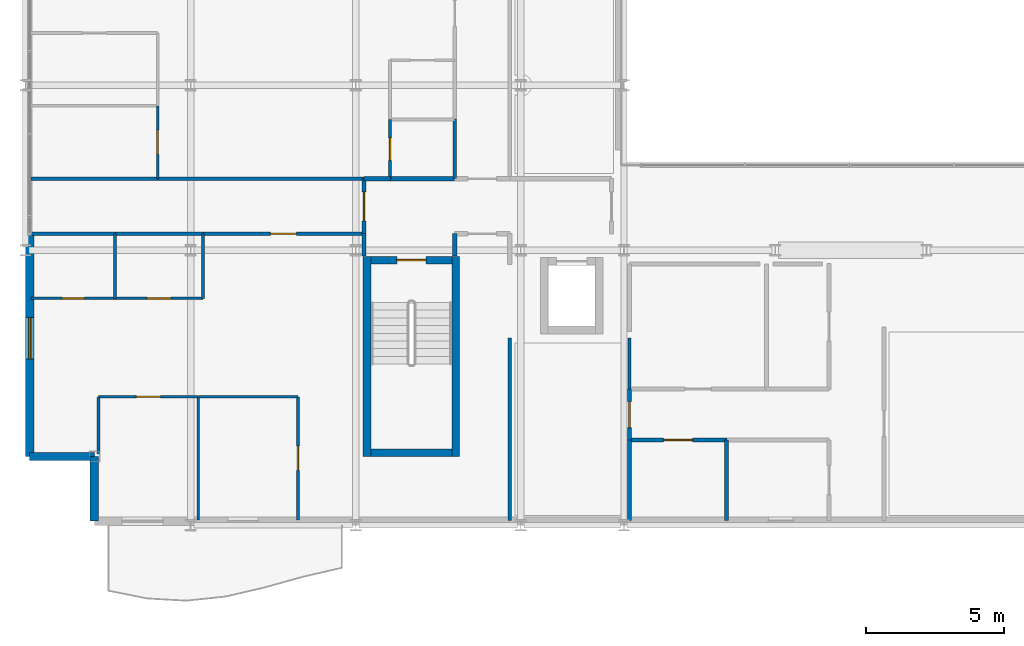
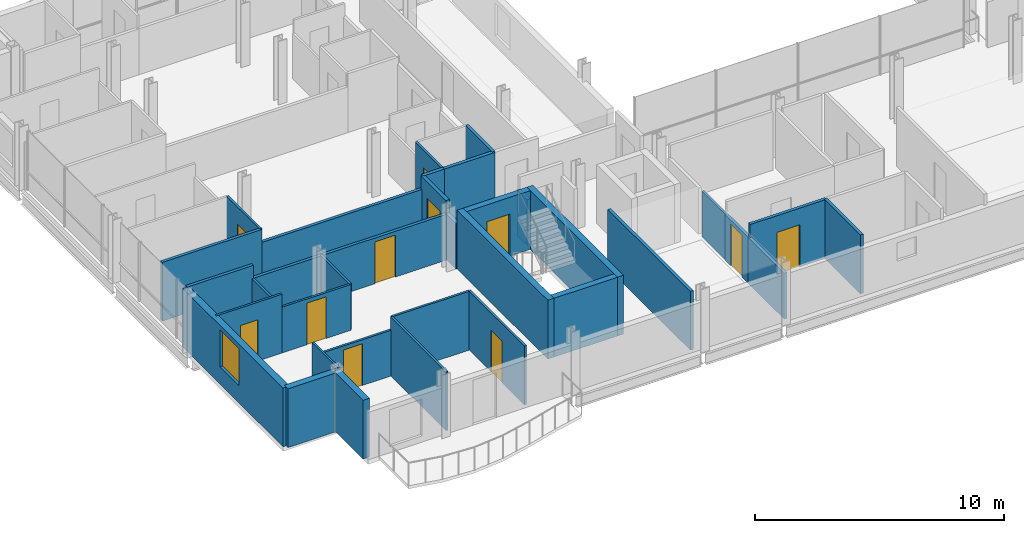
# One storey, part 33 of 41: 35 walls, 11 doors, 1 window, 12 openings.
"""IFC4 building model written with IfcOpenShell, lengths in metres."""

from ifc_helpers import new_model, si_unit, direction, frame, frame_2d, origin, place, context, subcontext, project, spatial, rectangle, extrude, material, layer, layer_set, type_object, element, fill, save


model = new_model("IFC4")

# Units and contexts
model_context = context("Model", 3, precision=1e-05, world=origin(), true_north=direction((0.0, 1.0)))
body_context = subcontext(model_context, "Body", "Model", "MODEL_VIEW")
ifc_project = project(units=[si_unit("LENGTHUNIT", "METRE"), si_unit("AREAUNIT", "SQUARE_METRE"), si_unit("VOLUMEUNIT", "CUBIC_METRE"), si_unit("PLANEANGLEUNIT", "RADIAN"), si_unit("MASSUNIT", "GRAM", prefix="KILO")], contexts=[model_context])

# Site, building, storey
site_placement = place(None, origin())
site = spatial("IfcSite", under=ifc_project, at=site_placement, CompositionType="ELEMENT")
building_placement = place(site_placement, origin())
building = spatial("IfcBuilding", under=site, at=building_placement, Name="Brevholm Reach", CompositionType="ELEMENT")
storey_placement = place(building_placement, frame((0.0, 0.0, 144.89990234375)))
storey = spatial("IfcBuildingStorey", under=building, at=storey_placement, Name="L43", CompositionType="ELEMENT", Elevation=144.89990234375)

# Walls
ifc_material_1 = material(Name="Concrete C50/60", Category="concrete")
ifc_layer_1 = layer(ifc_material_1, 0.280029296875)
ifc_layer_set_1 = layer_set([ifc_layer_1], Name="Concrete C50/60")
wall_type_1 = type_object("IfcWallType", Name="WAL-COR-280", PredefinedType="SHEAR", material=ifc_layer_set_1)
for number, where, z_axis, x_axis, name in (
    (1, (12.409912109375, 2.5, 0.0), (0.0, 0.0, 1.0), (0.0, 1.0, 0.0), "L43 Escape Stair ST-1 Core Wall W"),
    (2, (15.639892578125, 2.5, 0.0), (0.0, 0.0, 1.0), (0.0, 1.0, 0.0), "L43 Escape Stair ST-1 Core Wall E"),
):
    element("IfcWall", number, at=place(storey_placement, frame(where, z_axis=z_axis, x_axis=x_axis)), inside=storey, type_object=wall_type_1, Name=name, PredefinedType="SHEAR", context=body_context, shape_type="SweptSolid", body=[
        extrude(rectangle(XDim=7.280029296875, YDim=0.280029296875, at=frame_2d((3.64013671875, 0.0))), origin(), (0.0, 0.0, 1.0), 2.880126953125),
    ])
wall_1_placement = place(storey_placement, frame((12.550048828125, 2.639892578125, 0.0), z_axis=(0.0, 0.0, 1.0), x_axis=(1.0, 0.0, 0.0)))
element("IfcWall", 3, at=wall_1_placement, inside=storey, type_object=wall_type_1, Name="L43 Escape Stair ST-1 Core Wall S", PredefinedType="SHEAR", context=body_context, shape_type="SweptSolid", body=[
    extrude(rectangle(XDim=2.949951171875, YDim=0.280029296875, at=frame_2d((1.47509765625, 0.0))), origin(), (0.0, 0.0, 1.0), 2.880126953125),
])

# Wall, opening, door
wall_2_placement = place(storey_placement, frame((15.5, 9.639892578125, 0.0), z_axis=(0.0, 0.0, 1.0), x_axis=(-1.0, 0.0, 0.0)))
wall_2 = element("IfcWall", 4, at=wall_2_placement, inside=storey, type_object=wall_type_1, Name="L43 Escape Stair ST-1 Core Wall N", PredefinedType="SHEAR", context=body_context, shape_type="SweptSolid", body=[
    extrude(rectangle(XDim=2.949951171875, YDim=0.280029296875, at=frame_2d((1.47509765625, 0.0))), origin(), (0.0, 0.0, 1.0), 2.880126953125),
])
opening_1_placement = place(wall_2_placement, frame((0.949951171875, 0.0, 0.0)))
opening_1 = element("IfcOpeningElement", 5, at=opening_1_placement, cuts=wall_2, Name="Opening SD-ST-1", PredefinedType="OPENING", context=body_context, shape_type="SweptSolid", body=[
    extrude(rectangle(XDim=1.050048828125, YDim=2.06005859375, at=frame_2d((0.52490234375, 1.030029296875))), frame((0.0, 0.14990234375, 0.0), z_axis=(0.0, -1.0, 0.0), x_axis=(1.0, 0.0, 0.0)), (0.0, 0.0, 1.0), 0.300048828125),
])
ifc_material_2 = material(Name="Hardwood-Lipped Steel-Core Fire and Smoke Door", Category="steel")
door_type_1 = type_object("IfcDoorType", Name="DOR-INT-FD60S", OperationType="NOTDEFINED", PredefinedType="DOOR", material=ifc_material_2)
door_1_placement = place(opening_1_placement, origin())
door_1 = element("IfcDoor", 6, at=door_1_placement, inside=storey, type_object=door_type_1, Name="L43 Protected Stair ST-1 Lobby Door", OperationType="SINGLE_SWING_LEFT", OverallHeight=2.06005859375, OverallWidth=1.050048828125, PredefinedType="DOOR", context=body_context, shape_type="SweptSolid", body=[
    extrude(rectangle(XDim=1.050048828125, YDim=2.06005859375, at=frame_2d((0.52490234375, 1.030029296875))), frame((0.0, 0.02490234375, 0.0), z_axis=(0.0, -1.0, 0.0), x_axis=(1.0, 0.0, 0.0)), (0.0, 0.0, 1.0), 0.050048828125),
])
fill(opening_1, door_1)

# Walls
ifc_material_3 = material(Name="Concrete C40/50", Category="concrete")
ifc_layer_2 = layer(ifc_material_3, 0.300048828125)
ifc_layer_set_2 = layer_set([ifc_layer_2], Name="Concrete C40/50")
wall_type_2 = type_object("IfcWallType", Name="WAL-EXT-300", PredefinedType="STANDARD", material=ifc_layer_set_2)
for number, where, z_axis, x_axis, name in (
    (7, (2.5, 2.5, 0.0), (0.0, 0.0, 1.0), (0.0, -1.0, 0.0), "L43 Facade Wall WAL-L43-CSW1"),
    (8, (0.14990234375, 2.5, 0.0), (0.0, 0.0, 1.0), (1.0, 0.0, 0.0), "L43 Facade Wall WAL-L43-CSW2"),
):
    element("IfcWall", number, at=place(storey_placement, frame(where, z_axis=z_axis, x_axis=x_axis)), inside=storey, type_object=wall_type_2, Name=name, PredefinedType="STANDARD", context=body_context, shape_type="SweptSolid", body=[
        extrude(rectangle(XDim=2.35009765625, YDim=0.300048828125, at=frame_2d((1.175048828125, 0.0))), origin(), (0.0, 0.0, 1.0), 2.880126953125),
    ])

# Wall, opening, window
wall_3_placement = place(storey_placement, frame((0.14990234375, 10.550048828125, 0.0), z_axis=(0.0, 0.0, 1.0), x_axis=(0.0, -1.0, 0.0)))
wall_3 = element("IfcWall", 9, at=wall_3_placement, inside=storey, type_object=wall_type_2, Name="L43 Facade Wall WAL-L43-W-S", PredefinedType="STANDARD", context=body_context, shape_type="SweptSolid", body=[
    extrude(rectangle(XDim=8.050048828125, YDim=0.300048828125, at=frame_2d((4.02490234375, 0.0))), origin(), (0.0, 0.0, 1.0), 2.880126953125),
])
opening_2_placement = place(wall_3_placement, frame((3.0, 0.0, 0.860107421875)))
opening_2 = element("IfcOpeningElement", 10, at=opening_2_placement, cuts=wall_3, Name="Opening WN-05", PredefinedType="OPENING", context=body_context, shape_type="SweptSolid", body=[
    extrude(rectangle(XDim=1.5, YDim=1.800048828125, at=frame_2d((0.75, 0.89990234375))), frame((0.0, 0.159912109375, 0.0), z_axis=(0.0, -1.0, 0.0), x_axis=(1.0, 0.0, 0.0)), (0.0, 0.0, 1.0), 0.320068359375),
])
ifc_material_4 = material(Name="Dark Anodised Aluminium and Solar-Control IGU Glass", Category="aluminium")
window_type = type_object("IfcWindowType", Name="WIN-RES-1500", PartitioningType="SINGLE_PANEL", PredefinedType="WINDOW", material=ifc_material_4)
window_placement = place(opening_2_placement, origin())
window = element("IfcWindow", 11, at=window_placement, inside=storey, type_object=window_type, Name="L43 Window WIN-L43-WS-1", OverallHeight=1.800048828125, OverallWidth=1.5, PartitioningType="SINGLE_PANEL", PredefinedType="WINDOW", context=body_context, shape_type="SweptSolid", body=[
    extrude(rectangle(XDim=1.5, YDim=1.800048828125, at=frame_2d((0.75, 0.89990234375))), frame((0.0, 0.030029296875, 0.0), z_axis=(0.0, -1.0, 0.0), x_axis=(1.0, 0.0, 0.0)), (0.0, 0.0, 1.0), 0.06005859375),
])
fill(opening_2, window)

# Walls
ifc_material_5 = material(Name="Moisture-Resistant Acoustic Gypsum Stud Partition 100 mm", Category="gypsum")
ifc_layer_3 = layer(ifc_material_5, 0.10009765625)
ifc_layer_set_3 = layer_set([ifc_layer_3], Name="Moisture-Resistant Acoustic Gypsum Stud Partition 100 mm")
wall_type_3 = type_object("IfcWallType", Name="WAL-PRT-100", PredefinedType="PARTITIONING", material=ifc_layer_set_3)
wall_4_placement = place(storey_placement, frame((21.949951171875, 4.9541015625, 0.0), z_axis=(0.0, 0.0, 1.0), x_axis=(0.0, 1.0, 0.0)))
element("IfcWall", 12, at=wall_4_placement, inside=storey, type_object=wall_type_3, Name="L43 Internal Partition 012", PredefinedType="PARTITIONING", context=body_context, shape_type="SweptSolid", body=[
    extrude(rectangle(XDim=1.857177734375, YDim=0.10009765625, at=frame_2d((0.9287109375, 0.0))), origin(), (0.0, 0.0, 1.0), 2.242919921875),
])
wall_5_placement = place(storey_placement, frame((3.25, 8.25, 0.0), z_axis=(0.0, 0.0, 1.0), x_axis=(0.0, 1.0, 0.0)))
element("IfcWall", 13, at=wall_5_placement, inside=storey, type_object=wall_type_3, Name="L43 Internal Partition 068", PredefinedType="PARTITIONING", context=body_context, shape_type="SweptSolid", body=[
    extrude(rectangle(XDim=2.345947265625, YDim=0.10009765625, at=frame_2d((1.1728515625, 0.0))), origin(), (0.0, 0.0, 1.0), 2.242919921875),
])

# Wall, opening, door
wall_6_placement = place(storey_placement, frame((0.199951171875, 8.25, 0.0), z_axis=(0.0, 0.0, 1.0), x_axis=(1.0, 0.0, 0.0)))
wall_6 = element("IfcWall", 14, at=wall_6_placement, inside=storey, type_object=wall_type_3, Name="L43 Internal Partition 069", PredefinedType="PARTITIONING", context=body_context, shape_type="SweptSolid", body=[
    extrude(rectangle(XDim=3.050048828125, YDim=0.10009765625, at=frame_2d((1.52490234375, 0.0))), origin(), (0.0, 0.0, 1.0), 2.880126953125),
])
opening_3_placement = place(wall_6_placement, frame((1.114990234375, 0.0, 0.0)))
opening_3 = element("IfcOpeningElement", 15, at=opening_3_placement, cuts=wall_6, Name="Opening ID-03", PredefinedType="OPENING", context=body_context, shape_type="SweptSolid", body=[
    extrude(rectangle(XDim=0.820068359375, YDim=2.02001953125, at=frame_2d((0.41015625, 1.010009765625))), frame((0.0, 0.06005859375, 0.0), z_axis=(0.0, -1.0, 0.0), x_axis=(1.0, 0.0, 0.0)), (0.0, 0.0, 1.0), 0.1201171875),
])
ifc_material_6 = material(Name="Moisture-Resistant Painted Timber Internal Bathroom Door", Category="wood")
door_type_2 = type_object("IfcDoorType", Name="DOR-BATH-820", OperationType="NOTDEFINED", PredefinedType="DOOR", material=ifc_material_6)
door_2_placement = place(opening_3_placement, origin())
door_2 = element("IfcDoor", 16, at=door_2_placement, inside=storey, type_object=door_type_2, Name="L43 Internal Door 030", OperationType="SINGLE_SWING_LEFT", OverallHeight=2.02001953125, OverallWidth=0.820068359375, PredefinedType="DOOR", context=body_context, shape_type="SweptSolid", body=[
    extrude(rectangle(XDim=0.820068359375, YDim=2.02001953125, at=frame_2d((0.41015625, 1.010009765625))), frame((0.0, 0.02490234375, 0.0), z_axis=(0.0, -1.0, 0.0), x_axis=(1.0, 0.0, 0.0)), (0.0, 0.0, 1.0), 0.050048828125),
])
fill(opening_3, door_2)

wall_7_placement = place(storey_placement, frame((3.25390625, 8.25, 0.0), z_axis=(0.0, 0.0, 1.0), x_axis=(1.0, 0.0, 0.0)))
wall_7 = element("IfcWall", 17, at=wall_7_placement, inside=storey, type_object=wall_type_3, Name="L43 Internal Partition 070", PredefinedType="PARTITIONING", context=body_context, shape_type="SweptSolid", body=[
    extrude(rectangle(XDim=3.196044921875, YDim=0.10009765625, at=frame_2d((1.59814453125, 0.0))), origin(), (0.0, 0.0, 1.0), 2.242919921875),
])
opening_4_placement = place(wall_7_placement, frame((1.157958984375, 0.0, 0.0)))
opening_4 = element("IfcOpeningElement", 18, at=opening_4_placement, cuts=wall_7, Name="Opening ID-01", PredefinedType="OPENING", context=body_context, shape_type="SweptSolid", body=[
    extrude(rectangle(XDim=0.8798828125, YDim=2.0400390625, at=frame_2d((0.43994140625, 1.02001953125))), frame((0.0, 0.06005859375, 0.0), z_axis=(0.0, -1.0, 0.0), x_axis=(1.0, 0.0, 0.0)), (0.0, 0.0, 1.0), 0.1201171875),
])
ifc_material_7 = material(Name="Lacquered Ash Solid-Core Acoustic Internal Door", Category="timber")
door_type_3 = type_object("IfcDoorType", Name="DOR-INT-880", OperationType="NOTDEFINED", PredefinedType="DOOR", material=ifc_material_7)
door_3_placement = place(opening_4_placement, origin())
door_3 = element("IfcDoor", 19, at=door_3_placement, inside=storey, type_object=door_type_3, Name="L43 Internal Door 031", OperationType="SINGLE_SWING_RIGHT", OverallHeight=2.0400390625, OverallWidth=0.8798828125, PredefinedType="DOOR", context=body_context, shape_type="SweptSolid", body=[
    extrude(rectangle(XDim=0.8798828125, YDim=2.0400390625, at=frame_2d((0.43994140625, 1.02001953125))), frame((0.0, 0.02490234375, 0.0), z_axis=(0.0, -1.0, 0.0), x_axis=(1.0, 0.0, 0.0)), (0.0, 0.0, 1.0), 0.050048828125),
])
fill(opening_4, door_3)

# Walls
wall_8_placement = place(storey_placement, frame((6.449951171875, 8.25, 0.0), z_axis=(0.0, 0.0, 1.0), x_axis=(0.0, 1.0, 0.0)))
element("IfcWall", 20, at=wall_8_placement, inside=storey, type_object=wall_type_3, Name="L43 Internal Partition 071", PredefinedType="PARTITIONING", context=body_context, shape_type="SweptSolid", body=[
    extrude(rectangle(XDim=2.345947265625, YDim=0.10009765625, at=frame_2d((1.1728515625, 0.0))), origin(), (0.0, 0.0, 1.0), 2.242919921875),
])
wall_9_placement = place(storey_placement, frame((6.27490234375, 0.199951171875, 0.0), z_axis=(0.0, 0.0, 1.0), x_axis=(0.0, 1.0, 0.0)))
element("IfcWall", 21, at=wall_9_placement, inside=storey, type_object=wall_type_3, Name="L43 Internal Partition 072", PredefinedType="PARTITIONING", context=body_context, shape_type="SweptSolid", body=[
    extrude(rectangle(XDim=4.47216796875, YDim=0.10009765625, at=frame_2d((2.236083984375, 0.0))), origin(), (0.0, 0.0, 1.0), 2.880126953125),
])
wall_10_placement = place(storey_placement, frame((2.64990234375, 2.599365234375, 0.0), z_axis=(0.0, 0.0, 1.0), x_axis=(0.0, 1.0, 0.0)))
element("IfcWall", 22, at=wall_10_placement, inside=storey, type_object=wall_type_3, Name="L43 Internal Partition 073", PredefinedType="PARTITIONING", context=body_context, shape_type="SweptSolid", body=[
    extrude(rectangle(XDim=2.07275390625, YDim=0.10009765625, at=frame_2d((1.036376953125, 0.0))), origin(), (0.0, 0.0, 1.0), 2.880126953125),
])

# Wall, opening, door
wall_11_placement = place(storey_placement, frame((2.64990234375, 4.672119140625, 0.0), z_axis=(0.0, 0.0, 1.0), x_axis=(1.0, 0.0, 0.0)))
wall_11 = element("IfcWall", 23, at=wall_11_placement, inside=storey, type_object=wall_type_3, Name="L43 Internal Partition 074", PredefinedType="PARTITIONING", context=body_context, shape_type="SweptSolid", body=[
    extrude(rectangle(XDim=3.625, YDim=0.10009765625, at=frame_2d((1.8125, 0.0))), origin(), (0.0, 0.0, 1.0), 2.242919921875),
])
opening_5_placement = place(wall_11_placement, frame((1.37255859375, 0.0, 0.0)))
opening_5 = element("IfcOpeningElement", 24, at=opening_5_placement, cuts=wall_11, Name="Opening ID-01", PredefinedType="OPENING", context=body_context, shape_type="SweptSolid", body=[
    extrude(rectangle(XDim=0.8798828125, YDim=2.0400390625, at=frame_2d((0.43994140625, 1.02001953125))), frame((0.0, 0.06005859375, 0.0), z_axis=(0.0, -1.0, 0.0), x_axis=(1.0, 0.0, 0.0)), (0.0, 0.0, 1.0), 0.1201171875),
])
door_4_placement = place(opening_5_placement, origin())
door_4 = element("IfcDoor", 25, at=door_4_placement, inside=storey, type_object=door_type_3, Name="L43 Internal Door 032", OperationType="SINGLE_SWING_LEFT", OverallHeight=2.0400390625, OverallWidth=0.8798828125, PredefinedType="DOOR", context=body_context, shape_type="SweptSolid", body=[
    extrude(rectangle(XDim=0.8798828125, YDim=2.0400390625, at=frame_2d((0.43994140625, 1.02001953125))), frame((0.0, 0.02490234375, 0.0), z_axis=(0.0, -1.0, 0.0), x_axis=(1.0, 0.0, 0.0)), (0.0, 0.0, 1.0), 0.050048828125),
])
fill(opening_5, door_4)

wall_12_placement = place(storey_placement, frame((9.89990234375, 0.199951171875, 0.0), z_axis=(0.0, 0.0, 1.0), x_axis=(0.0, 1.0, 0.0)))
wall_12 = element("IfcWall", 26, at=wall_12_placement, inside=storey, type_object=wall_type_3, Name="L43 Internal Partition 075", PredefinedType="PARTITIONING", context=body_context, shape_type="SweptSolid", body=[
    extrude(rectangle(XDim=4.47216796875, YDim=0.10009765625, at=frame_2d((2.236083984375, 0.0))), origin(), (0.0, 0.0, 1.0), 2.880126953125),
])
opening_6_placement = place(wall_12_placement, frame((1.7958984375, 0.0, 0.0)))
opening_6 = element("IfcOpeningElement", 27, at=opening_6_placement, cuts=wall_12, Name="Opening ID-01", PredefinedType="OPENING", context=body_context, shape_type="SweptSolid", body=[
    extrude(rectangle(XDim=0.8798828125, YDim=2.0400390625, at=frame_2d((0.43994140625, 1.02001953125))), frame((0.0, 0.06005859375, 0.0), z_axis=(0.0, -1.0, 0.0), x_axis=(1.0, 0.0, 0.0)), (0.0, 0.0, 1.0), 0.1201171875),
])
door_5_placement = place(opening_6_placement, origin())
door_5 = element("IfcDoor", 28, at=door_5_placement, inside=storey, type_object=door_type_3, Name="L43 Internal Door 033", OperationType="SINGLE_SWING_RIGHT", OverallHeight=2.0400390625, OverallWidth=0.8798828125, PredefinedType="DOOR", context=body_context, shape_type="SweptSolid", body=[
    extrude(rectangle(XDim=0.8798828125, YDim=2.0400390625, at=frame_2d((0.43994140625, 1.02001953125))), frame((0.0, 0.02490234375, 0.0), z_axis=(0.0, -1.0, 0.0), x_axis=(1.0, 0.0, 0.0)), (0.0, 0.0, 1.0), 0.050048828125),
])
fill(opening_6, door_5)

# Wall
wall_13_placement = place(storey_placement, frame((6.279052734375, 4.672119140625, 0.0), z_axis=(0.0, 0.0, 1.0), x_axis=(1.0, 0.0, 0.0)))
element("IfcWall", 29, at=wall_13_placement, inside=storey, type_object=wall_type_3, Name="L43 Internal Partition 076", PredefinedType="PARTITIONING", context=body_context, shape_type="SweptSolid", body=[
    extrude(rectangle(XDim=3.620849609375, YDim=0.10009765625, at=frame_2d((1.810546875, 0.0))), origin(), (0.0, 0.0, 1.0), 2.880126953125),
])

# Wall, opening, door
wall_14_placement = place(storey_placement, frame((13.25, 12.60400390625, 0.0), z_axis=(0.0, 0.0, 1.0), x_axis=(0.0, 1.0, 0.0)))
wall_14 = element("IfcWall", 30, at=wall_14_placement, inside=storey, type_object=wall_type_3, Name="L43 Internal Partition 078", PredefinedType="PARTITIONING", context=body_context, shape_type="SweptSolid", body=[
    extrude(rectangle(XDim=2.14599609375, YDim=0.10009765625, at=frame_2d((1.072998046875, 0.0))), origin(), (0.0, 0.0, 1.0), 2.880126953125),
])
opening_7_placement = place(wall_14_placement, frame((0.6630859375, 0.0, 0.0)))
opening_7 = element("IfcOpeningElement", 31, at=opening_7_placement, cuts=wall_14, Name="Opening ID-03", PredefinedType="OPENING", context=body_context, shape_type="SweptSolid", body=[
    extrude(rectangle(XDim=0.820068359375, YDim=2.02001953125, at=frame_2d((0.41015625, 1.010009765625))), frame((0.0, 0.06005859375, 0.0), z_axis=(0.0, -1.0, 0.0), x_axis=(1.0, 0.0, 0.0)), (0.0, 0.0, 1.0), 0.1201171875),
])
door_6_placement = place(opening_7_placement, origin())
door_6 = element("IfcDoor", 32, at=door_6_placement, inside=storey, type_object=door_type_2, Name="L43 Internal Door 034", OperationType="SINGLE_SWING_LEFT", OverallHeight=2.02001953125, OverallWidth=0.820068359375, PredefinedType="DOOR", context=body_context, shape_type="SweptSolid", body=[
    extrude(rectangle(XDim=0.820068359375, YDim=2.02001953125, at=frame_2d((0.41015625, 1.010009765625))), frame((0.0, 0.02490234375, 0.0), z_axis=(0.0, -1.0, 0.0), x_axis=(1.0, 0.0, 0.0)), (0.0, 0.0, 1.0), 0.050048828125),
])
fill(opening_7, door_6)

wall_15_placement = place(storey_placement, frame((4.800048828125, 12.60400390625, 0.0), z_axis=(0.0, 0.0, 1.0), x_axis=(0.0, 1.0, 0.0)))
wall_15 = element("IfcWall", 33, at=wall_15_placement, inside=storey, type_object=wall_type_3, Name="L43 Internal Partition 082", PredefinedType="PARTITIONING", context=body_context, shape_type="SweptSolid", body=[
    extrude(rectangle(XDim=2.64599609375, YDim=0.10009765625, at=frame_2d((1.322998046875, 0.0))), origin(), (0.0, 0.0, 1.0), 2.880126953125),
])
opening_8_placement = place(wall_15_placement, frame((0.883056640625, 0.0, 0.0)))
opening_8 = element("IfcOpeningElement", 34, at=opening_8_placement, cuts=wall_15, Name="Opening ID-01", PredefinedType="OPENING", context=body_context, shape_type="SweptSolid", body=[
    extrude(rectangle(XDim=0.8798828125, YDim=2.0400390625, at=frame_2d((0.43994140625, 1.02001953125))), frame((0.0, 0.06005859375, 0.0), z_axis=(0.0, -1.0, 0.0), x_axis=(1.0, 0.0, 0.0)), (0.0, 0.0, 1.0), 0.1201171875),
])
door_7_placement = place(opening_8_placement, origin())
door_7 = element("IfcDoor", 35, at=door_7_placement, inside=storey, type_object=door_type_3, Name="L43 Internal Door 036", OperationType="SINGLE_SWING_LEFT", OverallHeight=2.0400390625, OverallWidth=0.8798828125, PredefinedType="DOOR", context=body_context, shape_type="SweptSolid", body=[
    extrude(rectangle(XDim=0.8798828125, YDim=2.0400390625, at=frame_2d((0.43994140625, 1.02001953125))), frame((0.0, 0.02490234375, 0.0), z_axis=(0.0, -1.0, 0.0), x_axis=(1.0, 0.0, 0.0)), (0.0, 0.0, 1.0), 0.050048828125),
])
fill(opening_8, door_7)

ifc_material_8 = material(Name="Twin-Stud Acoustic Fire-Rated Gypsum Partition 140 mm", Category="gypsum")
ifc_layer_4 = layer(ifc_material_8, 0.139892578125)
ifc_layer_set_4 = layer_set([ifc_layer_4], Name="Twin-Stud Acoustic Fire-Rated Gypsum Partition 140 mm")
wall_type_4 = type_object("IfcWallType", Name="WAL-PRT-140", PredefinedType="PARTITIONING", material=ifc_layer_set_4)
wall_16_placement = place(storey_placement, frame((21.949951171875, 3.10009765625, 0.0), z_axis=(0.0, 0.0, 1.0), x_axis=(1.0, 0.0, 0.0)))
wall_16 = element("IfcWall", 36, at=wall_16_placement, inside=storey, type_object=wall_type_4, Name="L43 Internal Partition 004", PredefinedType="PARTITIONING", context=body_context, shape_type="SweptSolid", body=[
    extrude(rectangle(XDim=3.541259765625, YDim=0.139892578125, at=frame_2d((1.7705078125, 0.0))), origin(), (0.0, 0.0, 1.0), 2.880126953125),
])
opening_9_placement = place(wall_16_placement, frame((1.24560546875, 0.0, 0.0)))
opening_9 = element("IfcOpeningElement", 37, at=opening_9_placement, cuts=wall_16, Name="Opening FD-01", PredefinedType="OPENING", context=body_context, shape_type="SweptSolid", body=[
    extrude(rectangle(XDim=1.050048828125, YDim=2.06005859375, at=frame_2d((0.52490234375, 1.030029296875))), frame((0.0, 0.079833984375, 0.0), z_axis=(0.0, -1.0, 0.0), x_axis=(1.0, 0.0, 0.0)), (0.0, 0.0, 1.0), 0.159912109375),
])
door_8_placement = place(opening_9_placement, origin())
door_8 = element("IfcDoor", 38, at=door_8_placement, inside=storey, type_object=door_type_1, Name="L43 Internal Door 004", OperationType="SINGLE_SWING_LEFT", OverallHeight=2.06005859375, OverallWidth=1.050048828125, PredefinedType="DOOR", context=body_context, shape_type="SweptSolid", body=[
    extrude(rectangle(XDim=1.050048828125, YDim=2.06005859375, at=frame_2d((0.52490234375, 1.030029296875))), frame((0.0, 0.02490234375, 0.0), z_axis=(0.0, -1.0, 0.0), x_axis=(1.0, 0.0, 0.0)), (0.0, 0.0, 1.0), 0.050048828125),
])
fill(opening_9, door_8)

wall_17_placement = place(storey_placement, frame((21.949951171875, 3.10009765625, 0.0), z_axis=(0.0, 0.0, 1.0), x_axis=(0.0, 1.0, 0.0)))
wall_17 = element("IfcWall", 39, at=wall_17_placement, inside=storey, type_object=wall_type_4, Name="L43 Internal Partition 008", PredefinedType="PARTITIONING", context=body_context, shape_type="SweptSolid", body=[
    extrude(rectangle(XDim=1.849853515625, YDim=0.139892578125, at=frame_2d((0.9248046875, 0.0))), origin(), (0.0, 0.0, 1.0), 2.242919921875),
])
opening_10_placement = place(wall_17_placement, frame((0.449951171875, 0.0, 0.0)))
opening_10 = element("IfcOpeningElement", 40, at=opening_10_placement, cuts=wall_17, Name="Opening ID-30", PredefinedType="OPENING", context=body_context, shape_type="SweptSolid", body=[
    extrude(rectangle(XDim=0.949951171875, YDim=2.050048828125, at=frame_2d((0.47509765625, 1.02490234375))), frame((0.0, 0.079833984375, 0.0), z_axis=(0.0, -1.0, 0.0), x_axis=(1.0, 0.0, 0.0)), (0.0, 0.0, 1.0), 0.159912109375),
])
ifc_material_9 = material(Name="European Oak Veneered Solid-Core Fire Entrance Door", Category="timber")
door_type_4 = type_object("IfcDoorType", Name="DOR-FLT-FD30S", OperationType="NOTDEFINED", PredefinedType="DOOR", material=ifc_material_9)
door_9_placement = place(opening_10_placement, origin())
door_9 = element("IfcDoor", 41, at=door_9_placement, inside=storey, type_object=door_type_4, Name="L43 Internal Door 006", OperationType="SINGLE_SWING_LEFT", OverallHeight=2.050048828125, OverallWidth=0.949951171875, PredefinedType="DOOR", context=body_context, shape_type="SweptSolid", body=[
    extrude(rectangle(XDim=0.949951171875, YDim=2.050048828125, at=frame_2d((0.47509765625, 1.02490234375))), frame((0.0, 0.02490234375, 0.0), z_axis=(0.0, -1.0, 0.0), x_axis=(1.0, 0.0, 0.0)), (0.0, 0.0, 1.0), 0.050048828125),
])
fill(opening_10, door_9)

# Walls
wall_18_placement = place(storey_placement, frame((25.47998046875, 0.179931640625, 0.0), z_axis=(0.0, 0.0, 1.0), x_axis=(0.0, 1.0, 0.0)))
element("IfcWall", 42, at=wall_18_placement, inside=storey, type_object=wall_type_4, Name="L43 Internal Partition 009", PredefinedType="PARTITIONING", context=body_context, shape_type="SweptSolid", body=[
    extrude(rectangle(XDim=2.916015625, YDim=0.139892578125, at=frame_2d((1.4580078125, 0.0))), origin(), (0.0, 0.0, 1.0), 2.880126953125),
])
wall_19_placement = place(storey_placement, frame((21.949951171875, 0.179931640625, 0.0), z_axis=(0.0, 0.0, 1.0), x_axis=(0.0, 1.0, 0.0)))
element("IfcWall", 43, at=wall_19_placement, inside=storey, type_object=wall_type_4, Name="L43 Internal Partition 010", PredefinedType="PARTITIONING", context=body_context, shape_type="SweptSolid", body=[
    extrude(rectangle(XDim=2.916015625, YDim=0.139892578125, at=frame_2d((1.4580078125, 0.0))), origin(), (0.0, 0.0, 1.0), 2.242919921875),
])
wall_20_placement = place(storey_placement, frame((17.60009765625, 0.179931640625, 0.0), z_axis=(0.0, 0.0, 1.0), x_axis=(0.0, 1.0, 0.0)))
element("IfcWall", 44, at=wall_20_placement, inside=storey, type_object=wall_type_4, Name="L43 Internal Partition 020", PredefinedType="PARTITIONING", context=body_context, shape_type="SweptSolid", body=[
    extrude(rectangle(XDim=6.63134765625, YDim=0.139892578125, at=frame_2d((3.315673828125, 0.0))), origin(), (0.0, 0.0, 1.0), 2.880126953125),
])
wall_21_placement = place(storey_placement, frame((15.60009765625, 12.60400390625, 0.0), z_axis=(0.0, 0.0, 1.0), x_axis=(0.0, 1.0, 0.0)))
element("IfcWall", 45, at=wall_21_placement, inside=storey, type_object=wall_type_4, Name="L43 Internal Partition 042", PredefinedType="PARTITIONING", context=body_context, shape_type="SweptSolid", body=[
    extrude(rectangle(XDim=2.1572265625, YDim=0.139892578125, at=frame_2d((1.07861328125, 0.0))), origin(), (0.0, 0.0, 1.0), 2.880126953125),
])
wall_22_placement = place(storey_placement, frame((0.199951171875, 10.60009765625, 0.0), z_axis=(0.0, 0.0, 1.0), x_axis=(1.0, 0.0, 0.0)))
element("IfcWall", 46, at=wall_22_placement, inside=storey, type_object=wall_type_4, Name="L43 Internal Partition 063", PredefinedType="PARTITIONING", context=body_context, shape_type="SweptSolid", body=[
    extrude(rectangle(XDim=3.061279296875, YDim=0.139892578125, at=frame_2d((1.53076171875, 0.0))), origin(), (0.0, 0.0, 1.0), 2.880126953125),
])
wall_23_placement = place(storey_placement, frame((3.24267578125, 10.60009765625, 0.0), z_axis=(0.0, 0.0, 1.0), x_axis=(1.0, 0.0, 0.0)))
element("IfcWall", 47, at=wall_23_placement, inside=storey, type_object=wall_type_4, Name="L43 Internal Partition 064", PredefinedType="PARTITIONING", context=body_context, shape_type="SweptSolid", body=[
    extrude(rectangle(XDim=3.218505859375, YDim=0.139892578125, at=frame_2d((1.609375, 0.0))), origin(), (0.0, 0.0, 1.0), 2.242919921875),
])

# Wall, opening, door
wall_24_placement = place(storey_placement, frame((6.442626953125, 10.60009765625, 0.0), z_axis=(0.0, 0.0, 1.0), x_axis=(1.0, 0.0, 0.0)))
wall_24 = element("IfcWall", 48, at=wall_24_placement, inside=storey, type_object=wall_type_4, Name="L43 Internal Partition 065", PredefinedType="PARTITIONING", context=body_context, shape_type="SweptSolid", body=[
    extrude(rectangle(XDim=5.853271484375, YDim=0.139892578125, at=frame_2d((2.9267578125, 0.0))), origin(), (0.0, 0.0, 1.0), 2.242919921875),
])
opening_11_placement = place(wall_24_placement, frame((2.45166015625, 0.0, 0.0)))
opening_11 = element("IfcOpeningElement", 49, at=opening_11_placement, cuts=wall_24, Name="Opening ID-30", PredefinedType="OPENING", context=body_context, shape_type="SweptSolid", body=[
    extrude(rectangle(XDim=0.949951171875, YDim=2.050048828125, at=frame_2d((0.47509765625, 1.02490234375))), frame((0.0, 0.079833984375, 0.0), z_axis=(0.0, -1.0, 0.0), x_axis=(1.0, 0.0, 0.0)), (0.0, 0.0, 1.0), 0.159912109375),
])
door_10_placement = place(opening_11_placement, origin())
door_10 = element("IfcDoor", 50, at=door_10_placement, inside=storey, type_object=door_type_4, Name="L43 Internal Door 029", OperationType="SINGLE_SWING_RIGHT", OverallHeight=2.050048828125, OverallWidth=0.949951171875, PredefinedType="DOOR", context=body_context, shape_type="SweptSolid", body=[
    extrude(rectangle(XDim=0.949951171875, YDim=2.050048828125, at=frame_2d((0.47509765625, 1.02490234375))), frame((0.0, 0.02490234375, 0.0), z_axis=(0.0, -1.0, 0.0), x_axis=(1.0, 0.0, 0.0)), (0.0, 0.0, 1.0), 0.050048828125),
])
fill(opening_11, door_10)

# Walls
wall_25_placement = place(storey_placement, frame((0.199951171875, 12.60009765625, 0.0), z_axis=(0.0, 0.0, 1.0), x_axis=(1.0, 0.0, 0.0)))
element("IfcWall", 51, at=wall_25_placement, inside=storey, type_object=wall_type_4, Name="L43 Internal Partition 066", PredefinedType="PARTITIONING", context=body_context, shape_type="SweptSolid", body=[
    extrude(rectangle(XDim=4.611328125, YDim=0.139892578125, at=frame_2d((2.3056640625, 0.0))), origin(), (0.0, 0.0, 1.0), 2.880126953125),
])
wall_26_placement = place(storey_placement, frame((4.792724609375, 12.60009765625, 0.0), z_axis=(0.0, 0.0, 1.0), x_axis=(1.0, 0.0, 0.0)))
element("IfcWall", 52, at=wall_26_placement, inside=storey, type_object=wall_type_4, Name="L43 Internal Partition 067", PredefinedType="PARTITIONING", context=body_context, shape_type="SweptSolid", body=[
    extrude(rectangle(XDim=7.503173828125, YDim=0.139892578125, at=frame_2d((3.75146484375, 0.0))), origin(), (0.0, 0.0, 1.0), 2.242919921875),
])
ifc_material_10 = material(Name="Twin-Frame Fire-Rated Gypsum Board and Mineral Wool 160 mm", Category="gypsum")
ifc_layer_5 = layer(ifc_material_10, 0.159912109375)
ifc_layer_set_5 = layer_set([ifc_layer_5], Name="Twin-Frame Fire-Rated Gypsum Board and Mineral Wool 160 mm")
wall_type_5 = type_object("IfcWallType", Name="WAL-PRT-160", PredefinedType="PARTITIONING", material=ifc_layer_set_5)
wall_27_placement = place(storey_placement, frame((15.60009765625, 9.7900390625, 0.0), z_axis=(0.0, 0.0, 1.0), x_axis=(0.0, 1.0, 0.0)))
element("IfcWall", 53, at=wall_27_placement, inside=storey, type_object=wall_type_5, Name="L43 Internal Partition 021", PredefinedType="PARTITIONING", context=body_context, shape_type="SweptSolid", body=[
    extrude(rectangle(XDim=0.81005859375, YDim=0.159912109375, at=frame_2d((0.405029296875, 0.0))), origin(), (0.0, 0.0, 1.0), 2.242919921875),
])

# Wall, opening, door
wall_28_placement = place(storey_placement, frame((12.300048828125, 10.588623046875, 0.0), z_axis=(0.0, 0.0, 1.0), x_axis=(0.0, 1.0, 0.0)))
wall_28 = element("IfcWall", 54, at=wall_28_placement, inside=storey, type_object=wall_type_5, Name="L43 Internal Partition 030", PredefinedType="PARTITIONING", context=body_context, shape_type="SweptSolid", body=[
    extrude(rectangle(XDim=2.011474609375, YDim=0.159912109375, at=frame_2d((1.005859375, 0.0))), origin(), (0.0, 0.0, 1.0), 2.880126953125),
])
opening_12_placement = place(wall_28_placement, frame((0.480712890625, 0.0, 0.0)))
opening_12 = element("IfcOpeningElement", 55, at=opening_12_placement, cuts=wall_28, Name="Opening FD-01", PredefinedType="OPENING", context=body_context, shape_type="SweptSolid", body=[
    extrude(rectangle(XDim=1.050048828125, YDim=2.06005859375, at=frame_2d((0.52490234375, 1.030029296875))), frame((0.0, 0.08984375, 0.0), z_axis=(0.0, -1.0, 0.0), x_axis=(1.0, 0.0, 0.0)), (0.0, 0.0, 1.0), 0.179931640625),
])
door_11_placement = place(opening_12_placement, origin())
door_11 = element("IfcDoor", 56, at=door_11_placement, inside=storey, type_object=door_type_1, Name="L43 Internal Door 015", OperationType="SINGLE_SWING_RIGHT", OverallHeight=2.06005859375, OverallWidth=1.050048828125, PredefinedType="DOOR", context=body_context, shape_type="SweptSolid", body=[
    extrude(rectangle(XDim=1.050048828125, YDim=2.06005859375, at=frame_2d((0.52490234375, 1.030029296875))), frame((0.0, 0.02490234375, 0.0), z_axis=(0.0, -1.0, 0.0), x_axis=(1.0, 0.0, 0.0)), (0.0, 0.0, 1.0), 0.050048828125),
])
fill(opening_12, door_11)

# Walls
wall_29_placement = place(storey_placement, frame((12.300048828125, 9.7900390625, 0.0), z_axis=(0.0, 0.0, 1.0), x_axis=(0.0, 1.0, 0.0)))
element("IfcWall", 57, at=wall_29_placement, inside=storey, type_object=wall_type_5, Name="L43 Internal Partition 031", PredefinedType="PARTITIONING", context=body_context, shape_type="SweptSolid", body=[
    extrude(rectangle(XDim=0.8173828125, YDim=0.159912109375, at=frame_2d((0.40869140625, 0.0))), origin(), (0.0, 0.0, 1.0), 2.242919921875),
])
wall_30_placement = place(storey_placement, frame((13.23876953125, 12.60009765625, 0.0), z_axis=(0.0, 0.0, 1.0), x_axis=(1.0, 0.0, 0.0)))
element("IfcWall", 58, at=wall_30_placement, inside=storey, type_object=wall_type_5, Name="L43 Internal Partition 032", PredefinedType="PARTITIONING", context=body_context, shape_type="SweptSolid", body=[
    extrude(rectangle(XDim=2.36865234375, YDim=0.159912109375, at=frame_2d((1.184326171875, 0.0))), origin(), (0.0, 0.0, 1.0), 2.880126953125),
])
wall_31_placement = place(storey_placement, frame((12.300048828125, 12.60009765625, 0.0), z_axis=(0.0, 0.0, 1.0), x_axis=(1.0, 0.0, 0.0)))
element("IfcWall", 59, at=wall_31_placement, inside=storey, type_object=wall_type_5, Name="L43 Internal Partition 033", PredefinedType="PARTITIONING", context=body_context, shape_type="SweptSolid", body=[
    extrude(rectangle(XDim=0.957275390625, YDim=0.159912109375, at=frame_2d((0.478515625, 0.0))), origin(), (0.0, 0.0, 1.0), 2.880126953125),
])

save(model, "model.ifc")
